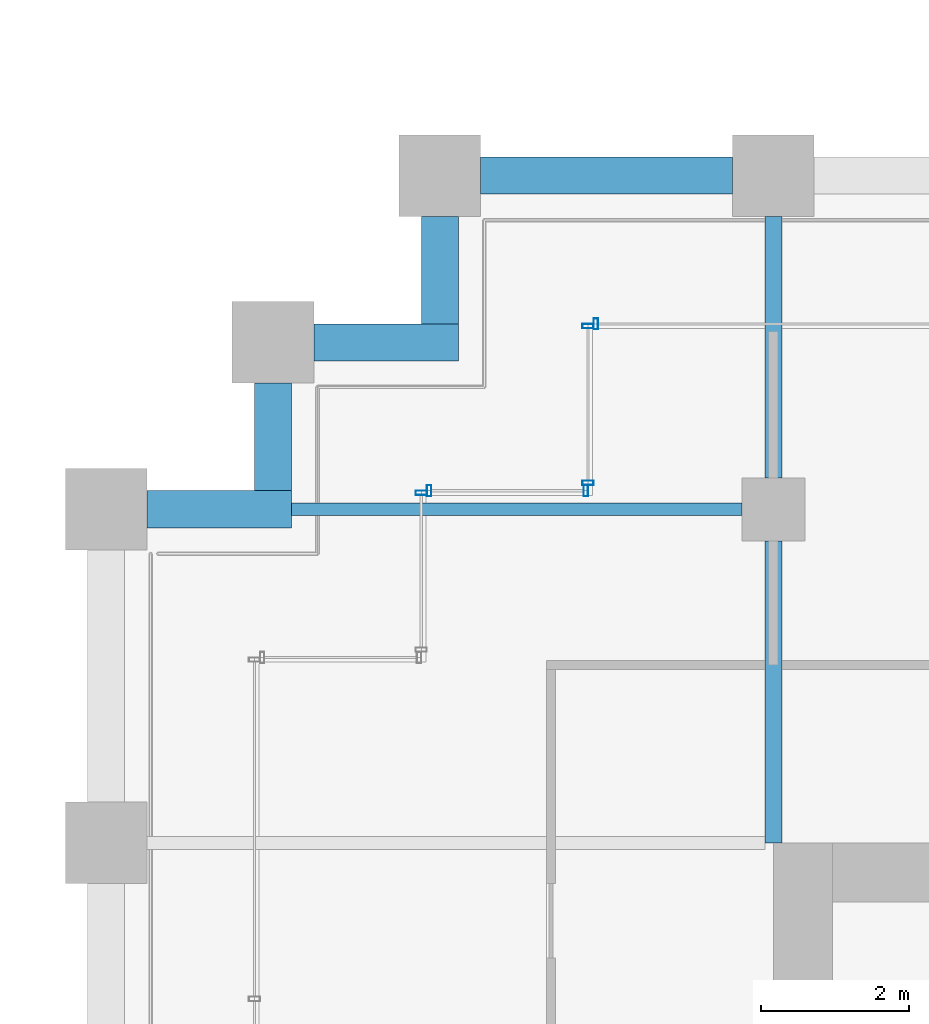
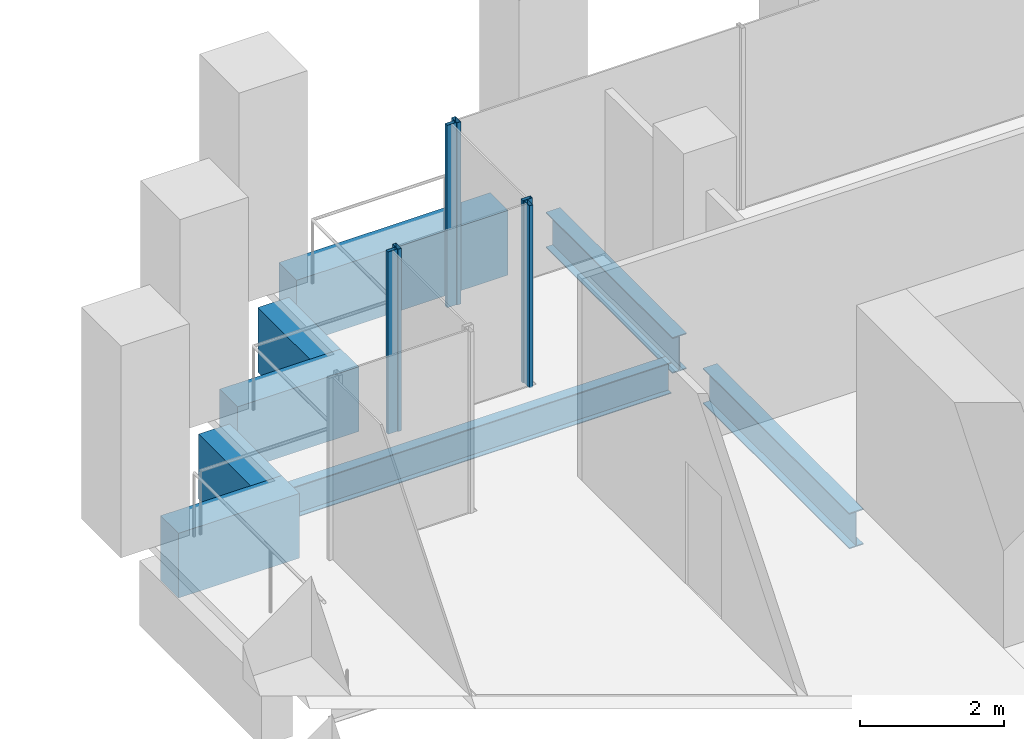
# One storey, part 41 of 56: 8 beams, 6 members, 4 elements without a shape of their own.
"""IFC4 building model written with IfcOpenShell, lengths in metres."""

import ifcopenshell
import ifcopenshell.guid

model = None  # the IFC model being written
_history = None  # IfcOwnerHistory: only IFC2X3 demands one
_inside = {}  # id of a spatial element -> (the spatial element, [elements in it])
_under = {}  # id of a project, library or spatial element -> (it, [spatial elements below it])
_declared = {}  # id of a project -> (the project, [libraries it declares])
_typed = {}  # id of a type object -> (the type object, [elements of that type])
_made_of = {}  # id of a material, layer set ... -> (it, [elements and type objects made of it])


def new_model(schema):
    """Start an empty IFC model of exactly this schema.

    Asked for "IFC4X3", IfcOpenShell would pick the latest addendum, in which some entities
    have other attributes; the version numbers below select the first issue.
    IFC2X3 requires an IfcOwnerHistory on every rooted entity: one is made here for all.
    """
    global model, _history
    if schema == "IFC4X3":
        model = ifcopenshell.file(schema_version=(4, 3, 0, 0))
    else:
        model = ifcopenshell.file(schema=schema)
    _inside.clear()
    _under.clear()
    _declared.clear()
    _typed.clear()
    _made_of.clear()
    _history = None
    if model.schema == "IFC2X3":
        org = make("IfcOrganization", Name="unknown")
        user = make(
            "IfcPersonAndOrganization",
            ThePerson=make("IfcPerson", FamilyName="unknown"),
            TheOrganization=org,
        )
        app = make(
            "IfcApplication",
            ApplicationDeveloper=org,
            Version="unknown",
            ApplicationFullName="unknown",
            ApplicationIdentifier="unknown",
        )
        _history = make(
            "IfcOwnerHistory",
            OwningUser=user,
            OwningApplication=app,
            ChangeAction="ADDED",
            CreationDate=0,
        )
    return model


def make(cls, **values):
    """One entity of the class cls with the attributes given. An attribute that is None is left unset."""
    return model.create_entity(
        cls, **{name: value for name, value in values.items() if value is not None}
    )


def rooted(cls, **values):
    """An entity with a GlobalId (a new one), such as an element, a storey or a relation."""
    return make(cls, GlobalId=ifcopenshell.guid.new(), OwnerHistory=_history, **values)


def si_unit(unit_type, name, prefix=None):
    """IfcSIUnit, for example si_unit("LENGTHUNIT", "METRE", prefix="MILLI")."""
    return make("IfcSIUnit", UnitType=unit_type, Prefix=prefix, Name=name)


def assignment(units):
    """IfcUnitAssignment: the units of a project."""
    return None if units is None else make("IfcUnitAssignment", Units=units)


def point(xyz):
    """IfcCartesianPoint."""
    return None if xyz is None else make("IfcCartesianPoint", Coordinates=xyz)


def direction(xyz):
    """IfcDirection."""
    return None if xyz is None else make("IfcDirection", DirectionRatios=xyz)


def frame(location, z_axis=None, x_axis=None):
    """IfcAxis2Placement3D, a coordinate frame: its origin and axes. An axis left out is left unset."""
    return make(
        "IfcAxis2Placement3D",
        Location=point(location),
        Axis=direction(z_axis),
        RefDirection=direction(x_axis),
    )


def frame_2d(location, x_axis=None):
    """IfcAxis2Placement2D, a coordinate frame in the plane: its origin and x axis."""
    return make(
        "IfcAxis2Placement2D", Location=point(location), RefDirection=direction(x_axis)
    )


def origin():
    """The frame at (0, 0, 0) with its axes left unset."""
    return frame((0.0, 0.0, 0.0))


def origin_2d():
    """The frame at (0, 0) in the plane with its x axis left unset."""
    return frame_2d((0.0, 0.0))


def place(relative_to, where):
    """IfcLocalPlacement: puts the frame where relative to a parent placement (None: the world)."""
    return make(
        "IfcLocalPlacement", PlacementRelTo=relative_to, RelativePlacement=where
    )


def context(
    kind, dimensions, precision=None, world=None, true_north=None, identifier=None
):
    """IfcGeometricRepresentationContext, for example the 3D "Model" context."""
    return make(
        "IfcGeometricRepresentationContext",
        ContextIdentifier=identifier,
        ContextType=kind,
        CoordinateSpaceDimension=dimensions,
        Precision=precision,
        WorldCoordinateSystem=world,
        TrueNorth=true_north,
    )


def subcontext(parent, identifier, kind, view, scale=None):
    """IfcGeometricRepresentationSubContext, for example "Body" below "Model"."""
    return make(
        "IfcGeometricRepresentationSubContext",
        ContextIdentifier=identifier,
        ContextType=kind,
        ParentContext=parent,
        TargetScale=scale,
        TargetView=view,
    )


def project(units=None, contexts=None):
    """IfcProject with its units and contexts."""
    return rooted(
        "IfcProject",
        Name="project",
        RepresentationContexts=contexts,
        UnitsInContext=assignment(units),
    )


def spatial(cls, under=None, at=None, **own):
    """A site, building, storey or space (cls), placed at a placement, below another one or the project."""
    s = rooted(cls, ObjectPlacement=at, **own)
    if under is not None:
        _under.setdefault(under.id(), (under, []))[1].append(s)
    return s


def profile(cls, at=None, kind="AREA", **sizes):
    """A parametric profile (cls). Its sizes go by their IFC names, for example OverallWidth=200.0."""
    return make(cls, ProfileType=kind, Position=at, **sizes)


def rectangle(**sizes):
    """IfcRectangleProfileDef."""
    return profile("IfcRectangleProfileDef", **sizes)


def hollow_rectangle(**sizes):
    """IfcRectangleHollowProfileDef."""
    return profile("IfcRectangleHollowProfileDef", **sizes)


def i_section(**sizes):
    """IfcIShapeProfileDef."""
    return profile("IfcIShapeProfileDef", **sizes)


def extrude(swept, where, along, depth):
    """IfcExtrudedAreaSolid: the profile swept, set in the frame where, extruded along a direction by depth."""
    return make(
        "IfcExtrudedAreaSolid",
        SweptArea=swept,
        Position=where,
        ExtrudedDirection=direction(along),
        Depth=depth,
    )


def shape(context_of_items, identifier, shape_type, items):
    """IfcShapeRepresentation: the items that make up one representation, for example the "Body"."""
    return make(
        "IfcShapeRepresentation",
        ContextOfItems=context_of_items,
        RepresentationIdentifier=identifier,
        RepresentationType=shape_type,
        Items=items,
    )


def material(Name=None, Category=None):
    """IfcMaterial."""
    return make("IfcMaterial", Name=Name, Category=Category)


def material_profile(
    of_material, cross_section, Name=None, Category=None, Priority=None
):
    """IfcMaterialProfile: a cross section and its material."""
    return make(
        "IfcMaterialProfile",
        Name=Name,
        Material=of_material,
        Profile=cross_section,
        Priority=Priority,
        Category=Category,
    )


def profile_set(profiles, Name=None, composite=None):
    """IfcMaterialProfileSet."""
    return make(
        "IfcMaterialProfileSet",
        Name=Name,
        MaterialProfiles=profiles,
        CompositeProfile=composite,
    )


def made_of(thing, what):
    """Note that an element or type object is made of a material, layer set ...; save() writes the relation."""
    if what is not None:
        _made_of.setdefault(what.id(), (what, []))[1].append(thing)
    return thing


def type_object(cls, material=None, **own):
    """A type object (cls), such as IfcWallType, which elements share."""
    return made_of(rooted(cls, **own), material)


def element(
    cls,
    number,
    at=None,
    inside=None,
    cuts=None,
    type_object=None,
    material=None,
    context=None,
    identifier="Body",
    shape_type=None,
    held_by="IfcProductDefinitionShape",
    body=None,
    shapes=None,
    **own,
):
    """One element of the class cls, such as IfcWall. Its Tag is "e" and its number.

    at: its placement. inside: the storey or other place that contains it. cuts: it is an
    opening in that element (IfcRelVoidsElement). A single representation is given by context,
    identifier, shape_type and body (its items); several are given by shapes. held_by: the class
    of the entity that holds the representations. save() writes the other relations.
    """
    e = rooted(cls, Tag="e%d" % number, ObjectPlacement=at, **own)
    if body is not None:
        shapes = [shape(context, identifier, shape_type, body)]
    if shapes is not None:
        e.Representation = make(held_by, Representations=shapes)
    if inside is not None:
        _inside.setdefault(inside.id(), (inside, []))[1].append(e)
    if cuts is not None:
        rooted(
            "IfcRelVoidsElement", RelatingBuildingElement=cuts, RelatedOpeningElement=e
        )
    if type_object is not None:
        _typed.setdefault(type_object.id(), (type_object, []))[1].append(e)
    return made_of(e, material)


def aggregate(whole, parts):
    """IfcRelAggregates: a whole, such as a stair, and the parts it consists of."""
    return rooted("IfcRelAggregates", RelatingObject=whole, RelatedObjects=parts)


def save(model, path):
    """Write the relations noted so far, then the file.

    IfcRelAggregates (storeys below a building ...), IfcRelContainedInSpatialStructure (elements
    in a storey), IfcRelDefinesByType, IfcRelAssociatesMaterial and IfcRelDeclares: one each for
    every whole, place, type object, material and project.
    """
    for whole, parts in _under.values():
        aggregate(whole, parts)
    for where, things in _inside.values():
        rooted(
            "IfcRelContainedInSpatialStructure",
            RelatedElements=things,
            RelatingStructure=where,
        )
    for kind, things in _typed.values():
        rooted("IfcRelDefinesByType", RelatedObjects=things, RelatingType=kind)
    for what, things in _made_of.values():
        rooted("IfcRelAssociatesMaterial", RelatedObjects=things, RelatingMaterial=what)
    for by, libraries in _declared.values():
        rooted("IfcRelDeclares", RelatingContext=by, RelatedDefinitions=libraries)
    model.write(path)


model = new_model("IFC4")

# Units and contexts
model_context = context("Model", 3, precision=1e-05, world=origin(), true_north=direction((0.0, 1.0)))
body_context = subcontext(model_context, "Body", "Model", "MODEL_VIEW")
ifc_project = project(units=[si_unit("LENGTHUNIT", "METRE"), si_unit("AREAUNIT", "SQUARE_METRE"), si_unit("VOLUMEUNIT", "CUBIC_METRE"), si_unit("PLANEANGLEUNIT", "RADIAN"), si_unit("MASSUNIT", "GRAM", prefix="KILO")], contexts=[model_context])

# Site, building, storey
site_placement = place(None, origin())
site = spatial("IfcSite", under=ifc_project, at=site_placement, CompositionType="ELEMENT")
building_placement = place(site_placement, origin())
building = spatial("IfcBuilding", under=site, at=building_placement, Name="Altepetl Exchange Towers", CompositionType="ELEMENT")
storey_placement = place(building_placement, frame((0.0, 0.0, 76.199951171875)))
storey = spatial("IfcBuildingStorey", under=building, at=storey_placement, Name="L18", CompositionType="ELEMENT", Elevation=76.199951171875)

# Beams
ifc_material_1 = material(Name="Steel S355", Category="steel")
ifc_material_profile_1 = material_profile(ifc_material_1, i_section(OverallWidth=0.166015625, OverallDepth=0.529052734375, WebThickness=0.009765625, FlangeThickness=0.013671875, at=origin_2d()), Name="W21X50")
ifc_profile_set_1 = profile_set([ifc_material_profile_1], Name="Steel S355")
beam_type_1 = type_object("IfcBeamType", Name="Floor beam W21X50", PredefinedType="BEAM", material=ifc_profile_set_1)
beam_1_placement = place(storey_placement, frame((97.0, 54.0, -0.41455078125), z_axis=(1.0, 0.0, 0.0), x_axis=(0.0, 1.0, 0.0)))
element("IfcBeam", 1, at=beam_1_placement, inside=storey, type_object=beam_type_1, Name="bm:B:L18:015", PredefinedType="BEAM", context=body_context, shape_type="SweptSolid", body=[
    extrude(i_section(OverallWidth=0.166015625, OverallDepth=0.529052734375, WebThickness=0.009765625, FlangeThickness=0.013671875, at=origin_2d()), origin(), (0.0, 0.0, 1.0), 6.074951171875),
])
ifc_material_profile_2 = material_profile(ifc_material_1, i_section(OverallWidth=0.22802734375, OverallDepth=0.60791015625, WebThickness=0.01123046875, FlangeThickness=0.017333984375, at=origin_2d()), Name="W24X76")
ifc_profile_set_2 = profile_set([ifc_material_profile_2], Name="Steel S355")
beam_type_2 = type_object("IfcBeamType", Name="Girder W24X76", PredefinedType="BEAM", material=ifc_profile_set_2)
beam_2_placement = place(storey_placement, frame((103.5, 57.949951171875, -0.453857421875), z_axis=(0.0, -1.0, 0.0), x_axis=(1.0, 0.0, 0.0)))
element("IfcBeam", 2, at=beam_2_placement, inside=storey, type_object=beam_type_2, Name="gd:B:L18:002", PredefinedType="BEAM", context=body_context, shape_type="SweptSolid", body=[
    extrude(i_section(OverallWidth=0.22802734375, OverallDepth=0.60791015625, WebThickness=0.01123046875, FlangeThickness=0.017333984375, at=origin_2d()), origin(), (0.0, 0.0, 1.0), 3.52490234375),
])
beam_3_placement = place(storey_placement, frame((103.5, 53.574951171875, -0.453857421875), z_axis=(0.0, -1.0, 0.0), x_axis=(1.0, 0.0, 0.0)))
element("IfcBeam", 3, at=beam_3_placement, inside=storey, type_object=beam_type_2, Name="gd:B:L18:003", PredefinedType="BEAM", context=body_context, shape_type="SweptSolid", body=[
    extrude(i_section(OverallWidth=0.22802734375, OverallDepth=0.60791015625, WebThickness=0.01123046875, FlangeThickness=0.017333984375, at=origin_2d()), origin(), (0.0, 0.0, 1.0), 4.074951171875),
])

# Curtain wall, member
ifc_material_2 = material(Name="Aluminium 6063-T6 glazing", Category="aluminium")
curtain_wall_type = type_object("IfcCurtainWallType", Name="Loggia glazing system", PredefinedType="NOTDEFINED", material=ifc_material_2)
curtain_wall_1_placement = place(storey_placement, origin())
curtain_wall_1 = element("IfcCurtainWall", 4, at=curtain_wall_1_placement, inside=storey, type_object=curtain_wall_type, Name="CW1 run", PredefinedType="NOTDEFINED")
ifc_material_3 = material(Name="Aluminium 6063-T6", Category="aluminium")
ifc_material_profile_3 = material_profile(ifc_material_3, hollow_rectangle(XDim=0.06005859375, YDim=0.14990234375, WallThickness=0.0029296875, at=origin_2d()), Name="Mullion 60x150 aluminium")
ifc_profile_set_3 = profile_set([ifc_material_profile_3], Name="Aluminium 6063-T6")
member_type = type_object("IfcMemberType", Name="Mullion 60x150 aluminium", PredefinedType="MULLION", material=ifc_profile_set_3)
member_1_placement = place(storey_placement, frame((101.10498046875, 56.5, 0.0), z_axis=(0.0, 0.0, 1.0), x_axis=(-1.0, 0.0, 0.0)))
member_1 = element("IfcMember", 5, at=member_1_placement, type_object=member_type, Name="MU1 mullion", PredefinedType="MULLION", context=body_context, shape_type="SweptSolid", body=[
    extrude(hollow_rectangle(XDim=0.06005859375, YDim=0.14990234375, WallThickness=0.0029296875, at=origin_2d()), origin(), (0.0, 0.0, 1.0), 3.10009765625),
])
aggregate(curtain_wall_1, [member_1])

# Curtain wall, members
curtain_wall_2_placement = place(storey_placement, origin())
curtain_wall_2 = element("IfcCurtainWall", 6, at=curtain_wall_2_placement, inside=storey, type_object=curtain_wall_type, Name="CW1 run", PredefinedType="NOTDEFINED")
member_2_placement = place(storey_placement, frame((101.0, 56.469970703125, 0.0), z_axis=(0.0, 0.0, 1.0), x_axis=(0.0, -1.0, 0.0)))
member_2 = element("IfcMember", 7, at=member_2_placement, type_object=member_type, Name="MU1 mullion", PredefinedType="MULLION", context=body_context, shape_type="SweptSolid", body=[
    extrude(hollow_rectangle(XDim=0.06005859375, YDim=0.14990234375, WallThickness=0.0029296875, at=origin_2d()), origin(), (0.0, 0.0, 1.0), 3.10009765625),
])
member_3_placement = place(storey_placement, frame((101.0, 54.35498046875, 0.0), z_axis=(0.0, 0.0, 1.0), x_axis=(0.0, -1.0, 0.0)))
member_3 = element("IfcMember", 8, at=member_3_placement, type_object=member_type, Name="MU1 mullion", PredefinedType="MULLION", context=body_context, shape_type="SweptSolid", body=[
    extrude(hollow_rectangle(XDim=0.06005859375, YDim=0.14990234375, WallThickness=0.0029296875, at=origin_2d()), origin(), (0.0, 0.0, 1.0), 3.10009765625),
])
aggregate(curtain_wall_2, [member_2, member_3])

curtain_wall_3_placement = place(storey_placement, origin())
curtain_wall_3 = element("IfcCurtainWall", 9, at=curtain_wall_3_placement, inside=storey, type_object=curtain_wall_type, Name="CW1 run", PredefinedType="NOTDEFINED")
member_4_placement = place(storey_placement, frame((100.969970703125, 54.25, 0.0), z_axis=(0.0, 0.0, 1.0), x_axis=(-1.0, 0.0, 0.0)))
member_4 = element("IfcMember", 10, at=member_4_placement, type_object=member_type, Name="MU1 mullion", PredefinedType="MULLION", context=body_context, shape_type="SweptSolid", body=[
    extrude(hollow_rectangle(XDim=0.06005859375, YDim=0.14990234375, WallThickness=0.0029296875, at=origin_2d()), origin(), (0.0, 0.0, 1.0), 3.10009765625),
])
member_5_placement = place(storey_placement, frame((98.85498046875, 54.25, 0.0), z_axis=(0.0, 0.0, 1.0), x_axis=(-1.0, 0.0, 0.0)))
member_5 = element("IfcMember", 11, at=member_5_placement, type_object=member_type, Name="MU1 mullion", PredefinedType="MULLION", context=body_context, shape_type="SweptSolid", body=[
    extrude(hollow_rectangle(XDim=0.06005859375, YDim=0.14990234375, WallThickness=0.0029296875, at=origin_2d()), origin(), (0.0, 0.0, 1.0), 3.10009765625),
])
aggregate(curtain_wall_3, [member_4, member_5])

# Curtain wall, member
curtain_wall_4_placement = place(storey_placement, origin())
curtain_wall_4 = element("IfcCurtainWall", 12, at=curtain_wall_4_placement, inside=storey, type_object=curtain_wall_type, Name="CW1 run", PredefinedType="NOTDEFINED")
member_6_placement = place(storey_placement, frame((98.75, 54.219970703125, 0.0), z_axis=(0.0, 0.0, 1.0), x_axis=(0.0, -1.0, 0.0)))
member_6 = element("IfcMember", 13, at=member_6_placement, type_object=member_type, Name="MU1 mullion", PredefinedType="MULLION", context=body_context, shape_type="SweptSolid", body=[
    extrude(hollow_rectangle(XDim=0.06005859375, YDim=0.14990234375, WallThickness=0.0029296875, at=origin_2d()), origin(), (0.0, 0.0, 1.0), 3.10009765625),
])
aggregate(curtain_wall_4, [member_6])

# Beams
ifc_material_4 = material(Name="Concrete C50/60 precast with cantera rosa facing", Category="concrete")
ifc_material_profile_4 = material_profile(ifc_material_4, rectangle(XDim=0.5, YDim=1.10009765625, at=origin_2d()), Name="500 x 1100")
ifc_profile_set_4 = profile_set([ifc_material_profile_4], Name="Concrete C50/60 precast with cantera rosa facing")
beam_type_3 = type_object("IfcBeamType", Name="Spandrel beam 500x1100 cantera rosa", PredefinedType="SPANDREL", material=ifc_profile_set_4)
beam_4_placement = place(storey_placement, frame((102.949951171875, 58.5, -0.699951171875), z_axis=(-1.0, 0.0, 0.0), x_axis=(0.0, -1.0, 0.0)))
element("IfcBeam", 14, at=beam_4_placement, inside=storey, type_object=beam_type_3, Name="sp:B:L18:022", PredefinedType="SPANDREL", context=body_context, shape_type="SweptSolid", body=[
    extrude(rectangle(XDim=0.5, YDim=1.10009765625, at=origin_2d()), origin(), (0.0, 0.0, 1.0), 3.39990234375),
])
beam_5_placement = place(storey_placement, frame((99.0, 57.949951171875, -0.699951171875), z_axis=(0.0, -1.0, 0.0), x_axis=(1.0, 0.0, 0.0)))
element("IfcBeam", 15, at=beam_5_placement, inside=storey, type_object=beam_type_3, Name="sp:B:L18:023", PredefinedType="SPANDREL", context=body_context, shape_type="SweptSolid", body=[
    extrude(rectangle(XDim=0.5, YDim=1.10009765625, at=origin_2d()), origin(), (0.0, 0.0, 1.0), 1.449951171875),
])
beam_6_placement = place(storey_placement, frame((99.25, 56.25, -0.699951171875), z_axis=(-1.0, 0.0, 0.0), x_axis=(0.0, -1.0, 0.0)))
element("IfcBeam", 16, at=beam_6_placement, inside=storey, type_object=beam_type_3, Name="sp:B:L18:024", PredefinedType="SPANDREL", context=body_context, shape_type="SweptSolid", body=[
    extrude(rectangle(XDim=0.5, YDim=1.10009765625, at=origin_2d()), origin(), (0.0, 0.0, 1.0), 1.949951171875),
])
beam_7_placement = place(storey_placement, frame((96.75, 55.699951171875, -0.699951171875), z_axis=(0.0, -1.0, 0.0), x_axis=(1.0, 0.0, 0.0)))
element("IfcBeam", 17, at=beam_7_placement, inside=storey, type_object=beam_type_3, Name="sp:B:L18:025", PredefinedType="SPANDREL", context=body_context, shape_type="SweptSolid", body=[
    extrude(rectangle(XDim=0.5, YDim=1.10009765625, at=origin_2d()), origin(), (0.0, 0.0, 1.0), 1.449951171875),
])
beam_8_placement = place(storey_placement, frame((97.0, 54.0, -0.699951171875), z_axis=(-1.0, 0.0, 0.0), x_axis=(0.0, -1.0, 0.0)))
element("IfcBeam", 18, at=beam_8_placement, inside=storey, type_object=beam_type_3, Name="sp:B:L18:026", PredefinedType="SPANDREL", context=body_context, shape_type="SweptSolid", body=[
    extrude(rectangle(XDim=0.5, YDim=1.10009765625, at=origin_2d()), origin(), (0.0, 0.0, 1.0), 1.949951171875),
])

save(model, "model.ifc")
